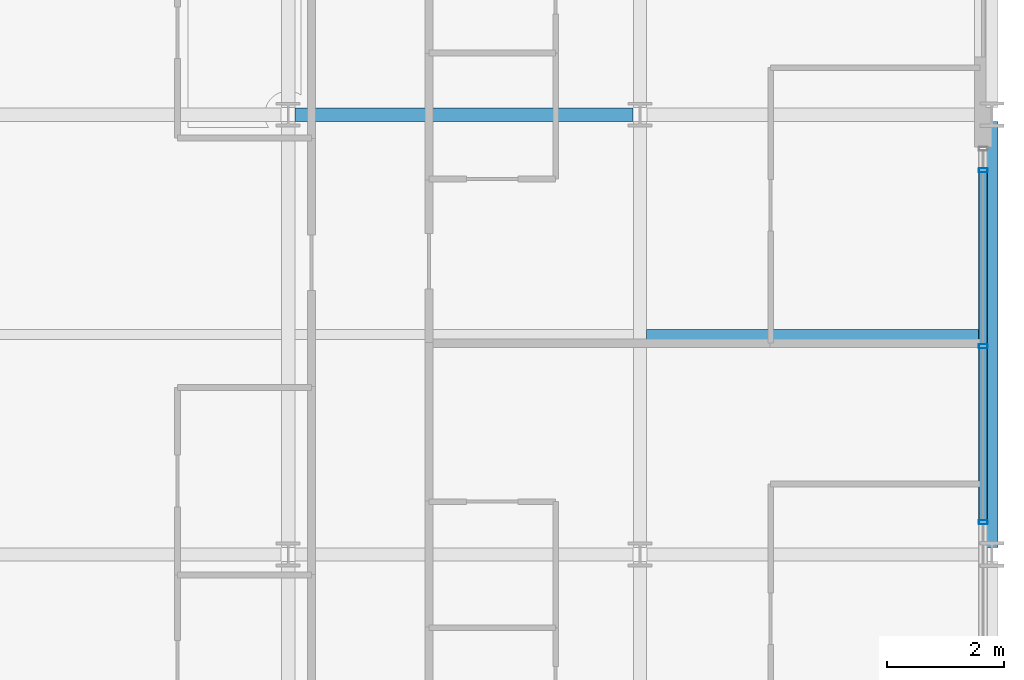
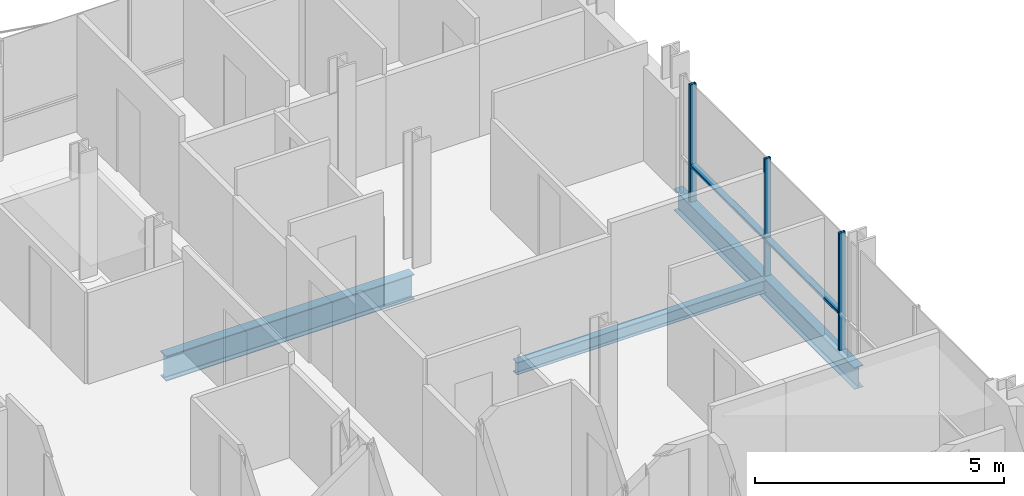
# One storey, part 19 of 41: 5 members, 3 beams, 1 element without a shape of its own.
"""IFC4 building model written with IfcOpenShell, lengths in metres."""

from ifc_helpers import new_model, si_unit, direction, frame, origin, origin_2d, place, context, subcontext, project, spatial, hollow_rectangle, i_section, extrude, material, layer, layer_set, material_profile, profile_set, type_object, element, aggregate, save


model = new_model("IFC4")

# Units and contexts
model_context = context("Model", 3, precision=1e-05, world=origin(), true_north=direction((0.0, 1.0)))
body_context = subcontext(model_context, "Body", "Model", "MODEL_VIEW")
ifc_project = project(units=[si_unit("LENGTHUNIT", "METRE"), si_unit("AREAUNIT", "SQUARE_METRE"), si_unit("VOLUMEUNIT", "CUBIC_METRE"), si_unit("PLANEANGLEUNIT", "RADIAN"), si_unit("MASSUNIT", "GRAM", prefix="KILO")], contexts=[model_context])

# Site, building, storey
site_placement = place(None, origin())
site = spatial("IfcSite", under=ifc_project, at=site_placement, CompositionType="ELEMENT")
building_placement = place(site_placement, origin())
building = spatial("IfcBuilding", under=site, at=building_placement, Name="Brevholm Reach", CompositionType="ELEMENT")
storey_placement = place(building_placement, frame((0.0, 0.0, 112.800048828125)))
storey = spatial("IfcBuildingStorey", under=building, at=storey_placement, Name="L33", CompositionType="ELEMENT", Elevation=112.800048828125)

# Beams
ifc_material_1 = material(Name="Structural Steel S355J2", Category="steel")
ifc_material_profile_1 = material_profile(ifc_material_1, i_section(OverallWidth=0.1650390625, OverallDepth=0.303466796875, WebThickness=0.006103515625, FlangeThickness=0.01025390625, FilletRadius=0.0087890625, at=origin_2d()), Name="UKB 305x165x40")
ifc_profile_set_1 = profile_set([ifc_material_profile_1], Name="Structural Steel S355J2")
beam_type_1 = type_object("IfcBeamType", Name="BM-B305", PredefinedType="BEAM", material=ifc_profile_set_1)
beam_1_placement = place(storey_placement, frame((54.114501953125, 19.75, -0.371826171875), z_axis=(1.0, 0.0, 0.0), x_axis=(0.0, 1.0, 0.0)))
element("IfcBeam", 1, at=beam_1_placement, inside=storey, type_object=beam_type_1, Name="L33 Composite Secondary Floor Beam", PredefinedType="BEAM", context=body_context, shape_type="SweptSolid", body=[
    extrude(i_section(OverallWidth=0.1650390625, OverallDepth=0.303466796875, WebThickness=0.006103515625, FlangeThickness=0.01025390625, FilletRadius=0.0087890625, at=origin_2d()), origin(), (0.0, 0.0, 1.0), 5.78076171875),
])
ifc_material_2 = material(Name="Structural Steel S355J2", Category="steel")
ifc_material_profile_2 = material_profile(ifc_material_2, i_section(OverallWidth=0.209228515625, OverallDepth=0.533203125, WebThickness=0.010009765625, FlangeThickness=0.015625, FilletRadius=0.0126953125, at=origin_2d()), Name="UKB 533x210x92")
ifc_profile_set_2 = profile_set([ifc_material_profile_2], Name="Structural Steel S355J2")
beam_type_2 = type_object("IfcBeamType", Name="BM-SP533", PredefinedType="SPANDREL", material=ifc_profile_set_2)
beam_2_placement = place(storey_placement, frame((60.0, 16.1201171875, -0.486572265625), z_axis=(0.0, 1.0, 0.0), x_axis=(-1.0, 0.0, 0.0)))
element("IfcBeam", 2, at=beam_2_placement, inside=storey, type_object=beam_type_2, Name="L33 SP-02 Framing Beam", PredefinedType="SPANDREL", context=body_context, shape_type="SweptSolid", body=[
    extrude(i_section(OverallWidth=0.209228515625, OverallDepth=0.533203125, WebThickness=0.010009765625, FlangeThickness=0.015625, FilletRadius=0.0126953125, at=origin_2d()), origin(), (0.0, 0.0, 1.0), 7.259765625),
])
ifc_material_3 = material(Name="Structural Steel S355J2", Category="steel")
ifc_material_profile_3 = material_profile(ifc_material_3, i_section(OverallWidth=0.22900390625, OverallDepth=0.6123046875, WebThickness=0.011962890625, FlangeThickness=0.01953125, FilletRadius=0.0126953125, at=origin_2d()), Name="UKB 610x229x125")
ifc_profile_set_3 = profile_set([ifc_material_profile_3], Name="Structural Steel S355J2")
beam_type_3 = type_object("IfcBeamType", Name="BM-SP610", PredefinedType="SPANDREL", material=ifc_profile_set_3)
beam_3_placement = place(storey_placement, frame((48.1201171875, 23.5, -0.526123046875), z_axis=(1.0, 0.0, 0.0), x_axis=(0.0, 1.0, 0.0)))
element("IfcBeam", 3, at=beam_3_placement, inside=storey, type_object=beam_type_3, Name="L33 SP-01 Framing Beam", PredefinedType="SPANDREL", context=body_context, shape_type="SweptSolid", body=[
    extrude(i_section(OverallWidth=0.22900390625, OverallDepth=0.6123046875, WebThickness=0.011962890625, FlangeThickness=0.01953125, FilletRadius=0.0126953125, at=origin_2d()), origin(), (0.0, 0.0, 1.0), 5.759765625),
])

# Curtain wall, members
ifc_material_4 = material(Name="Dark Anodised Aluminium 6063-T6 and Solar-Control Glass", Category="aluminium")
ifc_layer = layer(ifc_material_4, 0.14990234375)
ifc_layer_set = layer_set([ifc_layer], Name="Dark Anodised Aluminium 6063-T6 and Solar-Control Glass")
curtain_wall_type = type_object("IfcCurtainWallType", Name="CW-01", PredefinedType="NOTDEFINED", material=ifc_layer_set)
curtain_wall_placement = place(storey_placement, origin())
curtain_wall = element("IfcCurtainWall", 4, at=curtain_wall_placement, inside=storey, type_object=curtain_wall_type, Name="L33 Curtain Wall CW-01", PredefinedType="NOTDEFINED")
ifc_material_5 = material(Name="Dark Anodised Aluminium 6063-T6", Category="aluminium")
ifc_material_profile_4 = material_profile(ifc_material_5, hollow_rectangle(XDim=0.06494140625, YDim=0.14990234375, WallThickness=0.0048828125, InnerFilletRadius=0.0048828125, OuterFilletRadius=0.010009765625, at=origin_2d()), Name="RHS 150x65x5")
ifc_profile_set_4 = profile_set([ifc_material_profile_4], Name="Dark Anodised Aluminium 6063-T6")
member_type_1 = type_object("IfcMemberType", Name="CWM-150", PredefinedType="MULLION", material=ifc_profile_set_4)
member_1_placement = place(storey_placement, frame((59.85009765625, 16.550048828125, 0.0), z_axis=(0.0, 0.0, 1.0), x_axis=(0.0, 1.0, 0.0)))
member_1 = element("IfcMember", 5, at=member_1_placement, type_object=member_type_1, Name="CM-150 Mullion 3", PredefinedType="MULLION", context=body_context, shape_type="SweptSolid", body=[
    extrude(hollow_rectangle(XDim=0.06494140625, YDim=0.14990234375, WallThickness=0.0048828125, InnerFilletRadius=0.0048828125, OuterFilletRadius=0.010009765625, at=origin_2d()), origin(), (0.0, 0.0, 1.0), 2.8798828125),
])
member_2_placement = place(storey_placement, frame((59.85009765625, 19.550048828125, 0.0), z_axis=(0.0, 0.0, 1.0), x_axis=(0.0, 1.0, 0.0)))
member_2 = element("IfcMember", 6, at=member_2_placement, type_object=member_type_1, Name="CM-150 Mullion 4", PredefinedType="MULLION", context=body_context, shape_type="SweptSolid", body=[
    extrude(hollow_rectangle(XDim=0.06494140625, YDim=0.14990234375, WallThickness=0.0048828125, InnerFilletRadius=0.0048828125, OuterFilletRadius=0.010009765625, at=origin_2d()), origin(), (0.0, 0.0, 1.0), 2.8798828125),
])
member_3_placement = place(storey_placement, frame((59.85009765625, 22.550048828125, 0.0), z_axis=(0.0, 0.0, 1.0), x_axis=(0.0, 1.0, 0.0)))
member_3 = element("IfcMember", 7, at=member_3_placement, type_object=member_type_1, Name="CM-150 Mullion 5", PredefinedType="MULLION", context=body_context, shape_type="SweptSolid", body=[
    extrude(hollow_rectangle(XDim=0.06494140625, YDim=0.14990234375, WallThickness=0.0048828125, InnerFilletRadius=0.0048828125, OuterFilletRadius=0.010009765625, at=origin_2d()), origin(), (0.0, 0.0, 1.0), 2.8798828125),
])
ifc_material_6 = material(Name="Dark Anodised Aluminium 6063-T6", Category="aluminium")
ifc_material_profile_5 = material_profile(ifc_material_6, hollow_rectangle(XDim=0.06494140625, YDim=0.14990234375, WallThickness=0.0048828125, InnerFilletRadius=0.0048828125, OuterFilletRadius=0.010009765625, at=origin_2d()), Name="RHS 150x65x5")
ifc_profile_set_5 = profile_set([ifc_material_profile_5], Name="Dark Anodised Aluminium 6063-T6")
member_type_2 = type_object("IfcMemberType", Name="CWT-150", PredefinedType="NOTDEFINED", material=ifc_profile_set_5)
member_4_placement = place(storey_placement, frame((59.85009765625, 16.58251953125, 0.89990234375), z_axis=(0.0, 1.0, 0.0), x_axis=(0.0, 0.0, 1.0)))
member_4 = element("IfcMember", 8, at=member_4_placement, type_object=member_type_2, Name="CT-150 Transom 3.1", ObjectType="TRANSOM", PredefinedType="USERDEFINED", context=body_context, shape_type="SweptSolid", body=[
    extrude(hollow_rectangle(XDim=0.06494140625, YDim=0.14990234375, WallThickness=0.0048828125, InnerFilletRadius=0.0048828125, OuterFilletRadius=0.010009765625, at=origin_2d()), origin(), (0.0, 0.0, 1.0), 2.93505859375),
])
member_5_placement = place(storey_placement, frame((59.85009765625, 19.58251953125, 0.89990234375), z_axis=(0.0, 1.0, 0.0), x_axis=(0.0, 0.0, 1.0)))
member_5 = element("IfcMember", 9, at=member_5_placement, type_object=member_type_2, Name="CT-150 Transom 4.1", ObjectType="TRANSOM", PredefinedType="USERDEFINED", context=body_context, shape_type="SweptSolid", body=[
    extrude(hollow_rectangle(XDim=0.06494140625, YDim=0.14990234375, WallThickness=0.0048828125, InnerFilletRadius=0.0048828125, OuterFilletRadius=0.010009765625, at=origin_2d()), origin(), (0.0, 0.0, 1.0), 2.93505859375),
])
aggregate(curtain_wall, [member_1, member_2, member_3, member_4, member_5])

save(model, "model.ifc")
